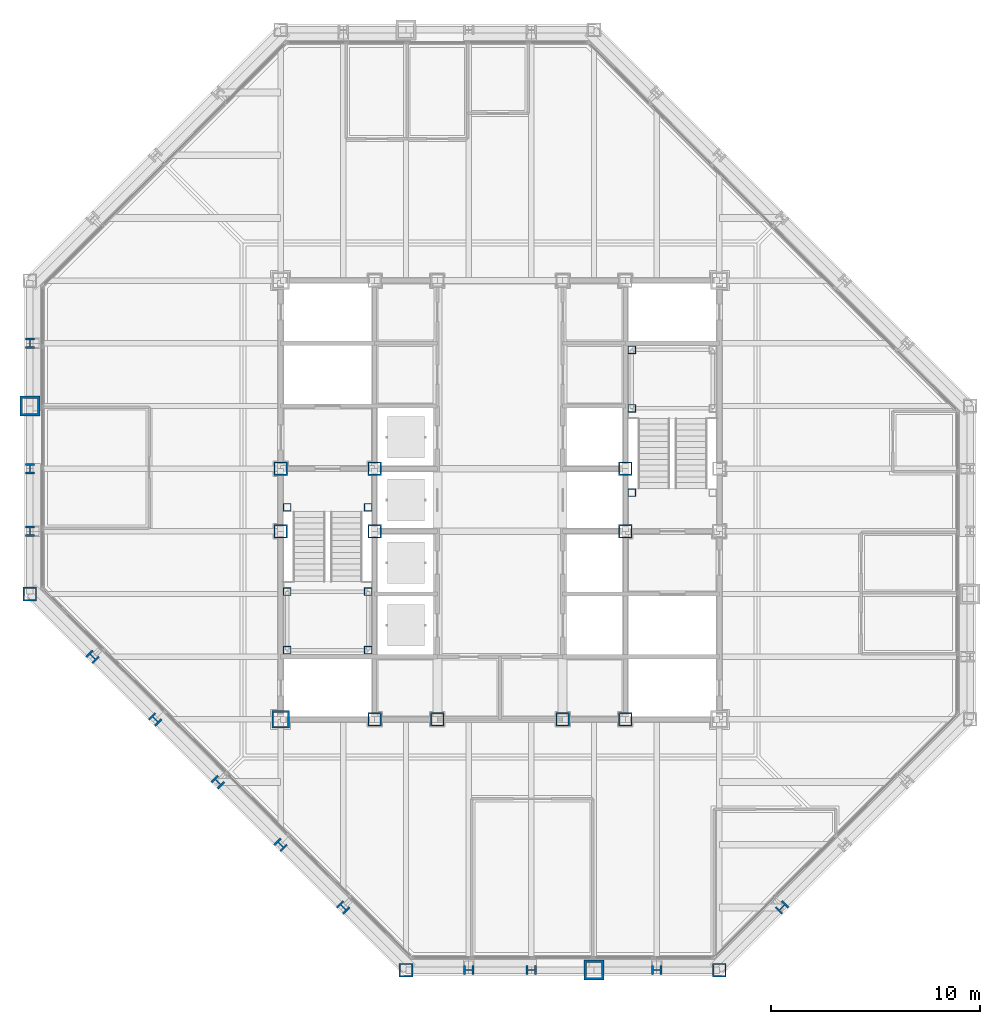
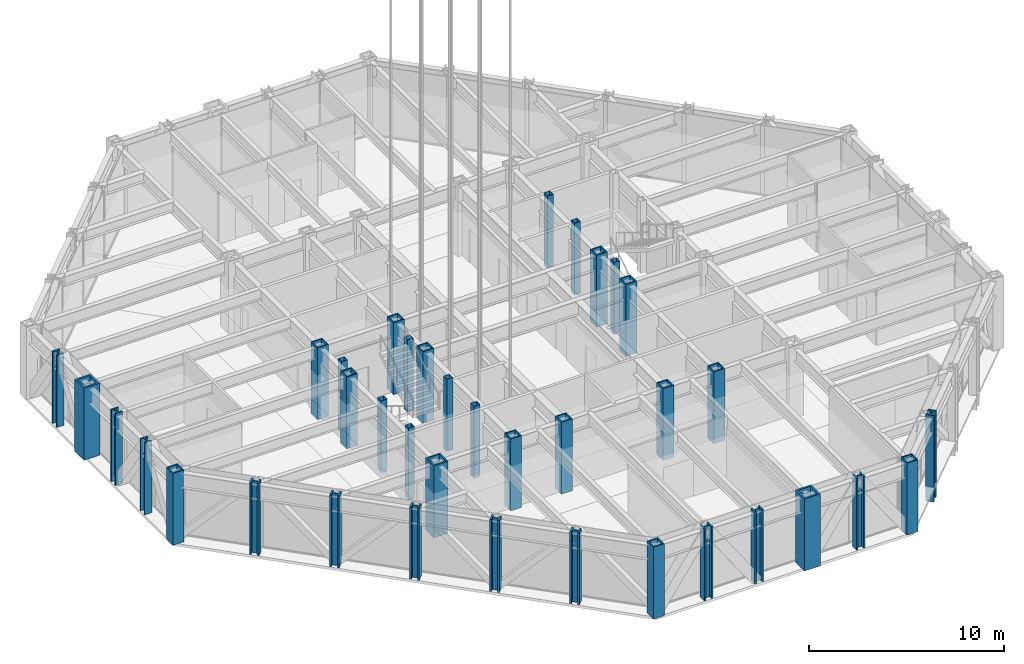
# One storey, part 1 of 24: 37 columns.
"""IFC4 building model written with IfcOpenShell, lengths in metres."""

from ifc_helpers import new_model, si_unit, direction, frame, origin, origin_2d, place, context, subcontext, project, spatial, hollow_rectangle, i_section, extrude, material, material_profile, profile_set, type_object, element, save


model = new_model("IFC4")

# Units and contexts
model_context = context("Model", 3, precision=1e-05, world=origin(), true_north=direction((0.0, 1.0)))
body_context = subcontext(model_context, "Body", "Model", "MODEL_VIEW")
ifc_project = project(units=[si_unit("LENGTHUNIT", "METRE"), si_unit("AREAUNIT", "SQUARE_METRE"), si_unit("VOLUMEUNIT", "CUBIC_METRE"), si_unit("PLANEANGLEUNIT", "RADIAN"), si_unit("MASSUNIT", "GRAM", prefix="KILO")], contexts=[model_context])

# Site, building, storey
site_placement = place(None, origin())
site = spatial("IfcSite", under=ifc_project, at=site_placement, CompositionType="ELEMENT")
building_placement = place(site_placement, origin())
building = spatial("IfcBuilding", under=site, at=building_placement, Name="Chuquiago Exchange Tower", CompositionType="ELEMENT")
storey_placement = place(building_placement, frame((0.0, 0.0, 180.0)))
storey = spatial("IfcBuildingStorey", under=building, at=storey_placement, Name="L39", CompositionType="ELEMENT", Elevation=180.0)

# Columns
ifc_material_1 = material(Name="Steel ASTM A992", Category="steel")
ifc_material_profile_1 = material_profile(ifc_material_1, i_section(OverallWidth=0.431884765625, OverallDepth=0.497802734375, WebThickness=0.0556640625, FlangeThickness=0.0888671875, at=origin_2d()), Name="W14X500")
ifc_profile_set_1 = profile_set([ifc_material_profile_1], Name="Steel ASTM A992")
column_type_1 = type_object("IfcColumnType", Name="C4 W14X500", PredefinedType="COLUMN", material=ifc_profile_set_1)
for number, where, z_axis, x_axis, name in (
    (1, (21.0, 0.0, 0.0), (0.0, 0.0, 1.0), (0.0, -1.0, 0.0), "COL-L39-21_0"),
    (2, (24.0, 0.0, 0.0), (0.0, 0.0, 1.0), (0.0, -1.0, 0.0), "COL-L39-24_0"),
    (3, (30.0, 0.0, 0.0), (0.0, 0.0, 1.0), (0.0, -1.0, 0.0), "COL-L39-30_0"),
    (4, (0.0, 30.0, 0.0), (0.0, 0.0, 1.0), (-1.0, 0.0, 0.0), "COL-L39-0_30"),
    (5, (0.0, 24.0, 0.0), (0.0, 0.0, 1.0), (-1.0, 0.0, 0.0), "COL-L39-0_24"),
    (6, (0.0, 21.0, 0.0), (0.0, 0.0, 1.0), (-1.0, 0.0, 0.0), "COL-L39-0_21"),
):
    element("IfcColumn", number, at=place(storey_placement, frame(where, z_axis=z_axis, x_axis=x_axis)), inside=storey, type_object=column_type_1, Name=name, PredefinedType="COLUMN", context=body_context, shape_type="SweptSolid", body=[
        extrude(i_section(OverallWidth=0.431884765625, OverallDepth=0.497802734375, WebThickness=0.0556640625, FlangeThickness=0.0888671875, at=origin_2d()), origin(), (0.0, 0.0, 1.0), 4.5),
    ])
ifc_material_2 = material(Name="Steel ASTM A572 Grade 50", Category="steel")
ifc_material_profile_2 = material_profile(ifc_material_2, hollow_rectangle(XDim=0.64990234375, YDim=0.64990234375, WallThickness=0.06494140625, at=origin_2d()), Name="BOX650X650X65")
ifc_profile_set_2 = profile_set([ifc_material_profile_2], Name="Steel ASTM A572 Grade 50")
column_type_2 = type_object("IfcColumnType", Name="CC4 BOX650X650X65", PredefinedType="COLUMN", material=ifc_profile_set_2)
for number, where, z_axis, x_axis, name in (
    (7, (16.5, 12.0, 0.0), (0.0, 0.0, 1.0), (1.0, 0.0, 0.0), "CCOL-L39-16.5_12"),
    (8, (19.5, 12.0, 0.0), (0.0, 0.0, 1.0), (1.0, 0.0, 0.0), "CCOL-L39-19.5_12"),
    (9, (25.5, 12.0, 0.0), (0.0, 0.0, 1.0), (1.0, 0.0, 0.0), "CCOL-L39-25.5_12"),
    (10, (28.5, 12.0, 0.0), (0.0, 0.0, 1.0), (1.0, 0.0, 0.0), "CCOL-L39-28.5_12"),
    (11, (12.0, 21.0, 0.0), (0.0, 0.0, 1.0), (1.0, 0.0, 0.0), "CCOL-L39-12_21"),
    (12, (12.0, 24.0, 0.0), (0.0, 0.0, 1.0), (1.0, 0.0, 0.0), "CCOL-L39-12_24"),
    (13, (16.5, 21.0, 0.0), (0.0, 0.0, 1.0), (1.0, 0.0, 0.0), "CCOL-L39-16.5_21"),
    (14, (16.5, 24.0, 0.0), (0.0, 0.0, 1.0), (1.0, 0.0, 0.0), "CCOL-L39-16.5_24"),
    (15, (28.5, 21.0, 0.0), (0.0, 0.0, 1.0), (1.0, 0.0, 0.0), "CCOL-L39-28.5_21"),
    (16, (28.5, 24.0, 0.0), (0.0, 0.0, 1.0), (1.0, 0.0, 0.0), "CCOL-L39-28.5_24"),
):
    element("IfcColumn", number, at=place(storey_placement, frame(where, z_axis=z_axis, x_axis=x_axis)), inside=storey, type_object=column_type_2, Name=name, PredefinedType="COLUMN", context=body_context, shape_type="SweptSolid", body=[
        extrude(hollow_rectangle(XDim=0.64990234375, YDim=0.64990234375, WallThickness=0.06494140625, at=origin_2d()), origin(), (0.0, 0.0, 1.0), 4.5),
    ])
ifc_material_3 = material(Name="Steel ASTM A572 Grade 50", Category="steel")
ifc_material_profile_3 = material_profile(ifc_material_3, hollow_rectangle(XDim=0.85009765625, YDim=0.85009765625, WallThickness=0.0849609375, at=origin_2d()), Name="BOX850X850X85")
ifc_profile_set_3 = profile_set([ifc_material_profile_3], Name="Steel ASTM A572 Grade 50")
column_type_3 = type_object("IfcColumnType", Name="CC6 BOX850X850X85", PredefinedType="COLUMN", material=ifc_profile_set_3)
column_1_placement = place(storey_placement, frame((12.0, 12.0, 0.0), z_axis=(0.0, 0.0, 1.0), x_axis=(1.0, 0.0, 0.0)))
element("IfcColumn", 17, at=column_1_placement, inside=storey, type_object=column_type_3, Name="CCOL-L39-12_12", PredefinedType="COLUMN", context=body_context, shape_type="SweptSolid", body=[
    extrude(hollow_rectangle(XDim=0.85009765625, YDim=0.85009765625, WallThickness=0.0849609375, at=origin_2d()), origin(), (0.0, 0.0, 1.0), 4.5),
])
ifc_material_4 = material(Name="Steel ASTM A992", Category="steel")
ifc_material_profile_4 = material_profile(ifc_material_4, i_section(OverallWidth=0.436767578125, OverallDepth=0.51318359375, WebThickness=0.060546875, FlangeThickness=0.096923828125, at=origin_2d()), Name="W14X550")
ifc_profile_set_4 = profile_set([ifc_material_profile_4], Name="Steel ASTM A992")
column_type_4 = type_object("IfcColumnType", Name="CK4 W14X550", PredefinedType="COLUMN", material=ifc_profile_set_4)
column_2_placement = place(storey_placement, frame((36.0, 3.0, -0.909912109375), z_axis=(0.0, 0.0, 1.0), x_axis=(0.707106781187, -0.707106781187, 0.0)))
element("IfcColumn", 18, at=column_2_placement, inside=storey, type_object=column_type_4, Name="COL-L39-36_3", PredefinedType="COLUMN", context=body_context, shape_type="SweptSolid", body=[
    extrude(i_section(OverallWidth=0.436767578125, OverallDepth=0.51318359375, WebThickness=0.060546875, FlangeThickness=0.096923828125, at=origin_2d()), origin(), (0.0, 0.0, 1.0), 5.409912109375),
])
for number, where, z_axis, x_axis, name in (
    (19, (3.0, 15.0, 0.0), (0.0, 0.0, 1.0), (-0.707106781187, -0.707106781187, 0.0), "COL-L39-3_15"),
    (20, (6.0, 12.0, 0.0), (0.0, 0.0, 1.0), (-0.707106781187, -0.707106781187, 0.0), "COL-L39-6_12"),
    (21, (9.0, 9.0, 0.0), (0.0, 0.0, 1.0), (-0.707106781187, -0.707106781187, 0.0), "COL-L39-9_9"),
    (22, (12.0, 6.0, 0.0), (0.0, 0.0, 1.0), (-0.707106781187, -0.707106781187, 0.0), "COL-L39-12_6"),
    (23, (15.0, 3.0, 0.0), (0.0, 0.0, 1.0), (-0.707106781187, -0.707106781187, 0.0), "COL-L39-15_3"),
):
    element("IfcColumn", number, at=place(storey_placement, frame(where, z_axis=z_axis, x_axis=x_axis)), inside=storey, type_object=column_type_4, Name=name, PredefinedType="COLUMN", context=body_context, shape_type="SweptSolid", body=[
        extrude(i_section(OverallWidth=0.436767578125, OverallDepth=0.51318359375, WebThickness=0.060546875, FlangeThickness=0.096923828125, at=origin_2d()), origin(), (0.0, 0.0, 1.0), 4.5),
    ])
ifc_material_5 = material(Name="Steel ASTM A572 Grade 50", Category="steel")
ifc_material_profile_5 = material_profile(ifc_material_5, hollow_rectangle(XDim=0.64990234375, YDim=0.64990234375, WallThickness=0.06494140625, at=origin_2d()), Name="BOX650X650X65")
ifc_profile_set_5 = profile_set([ifc_material_profile_5], Name="Steel ASTM A572 Grade 50")
column_type_5 = type_object("IfcColumnType", Name="CN2 BOX650X650X65", PredefinedType="COLUMN", material=ifc_profile_set_5)
for number, where, z_axis, x_axis, name in (
    (24, (18.0, 0.0, 0.0), (0.0, 0.0, 1.0), (0.0, -1.0, 0.0), "COL-L39-18_0"),
    (25, (33.0, 0.0, 0.0), (0.0, 0.0, 1.0), (0.0, -1.0, 0.0), "COL-L39-33_0"),
    (26, (0.0, 18.0, 0.0), (0.0, 0.0, 1.0), (-1.0, 0.0, 0.0), "COL-L39-0_18"),
):
    element("IfcColumn", number, at=place(storey_placement, frame(where, z_axis=z_axis, x_axis=x_axis)), inside=storey, type_object=column_type_5, Name=name, PredefinedType="COLUMN", context=body_context, shape_type="SweptSolid", body=[
        extrude(hollow_rectangle(XDim=0.64990234375, YDim=0.64990234375, WallThickness=0.06494140625, at=origin_2d()), origin(), (0.0, 0.0, 1.0), 4.5),
    ])
ifc_material_6 = material(Name="Steel ASTM A572 Grade 42", Category="steel")
ifc_material_profile_6 = material_profile(ifc_material_6, hollow_rectangle(XDim=0.949951171875, YDim=0.949951171875, WallThickness=0.110107421875, at=origin_2d()), Name="BOX950X950X110")
ifc_profile_set_6 = profile_set([ifc_material_profile_6], Name="Steel ASTM A572 Grade 42")
column_type_6 = type_object("IfcColumnType", Name="CT1 BOX950X950X110", PredefinedType="COLUMN", material=ifc_profile_set_6)
for number, where, z_axis, x_axis, name in (
    (27, (27.0, 0.0, 0.0), (0.0, 0.0, 1.0), (0.0, -1.0, 0.0), "COL-L39-27_0"),
    (28, (0.0, 27.0, 0.0), (0.0, 0.0, 1.0), (-1.0, 0.0, 0.0), "COL-L39-0_27"),
):
    element("IfcColumn", number, at=place(storey_placement, frame(where, z_axis=z_axis, x_axis=x_axis)), inside=storey, type_object=column_type_6, Name=name, PredefinedType="COLUMN", context=body_context, shape_type="SweptSolid", body=[
        extrude(hollow_rectangle(XDim=0.949951171875, YDim=0.949951171875, WallThickness=0.110107421875, at=origin_2d()), origin(), (0.0, 0.0, 1.0), 4.5),
    ])
ifc_material_7 = material(Name="Steel ASTM A500 Grade C", Category="steel")
ifc_material_profile_7 = material_profile(ifc_material_7, hollow_rectangle(XDim=0.355712890625, YDim=0.355712890625, WallThickness=0.0146484375, at=origin_2d()), Name="HSS14X14X5/8")
ifc_profile_set_7 = profile_set([ifc_material_profile_7], Name="Steel ASTM A500 Grade C")
column_type_7 = type_object("IfcColumnType", Name="PT2 HSS14X14X5/8", PredefinedType="COLUMN", material=ifc_profile_set_7)
for number, where, z_axis, x_axis, name in (
    (29, (12.31005859375, 15.31005859375, 0.0), (0.0, 0.0, 1.0), (1.0, 0.0, 0.0), "Stair ST1 L39 landing post"),
    (30, (16.18994140625, 15.31005859375, 0.0), (0.0, 0.0, 1.0), (1.0, 0.0, 0.0), "Stair ST1 L39 landing post"),
    (31, (12.31005859375, 18.110107421875, 0.0), (0.0, 0.0, 1.0), (1.0, 0.0, 0.0), "Stair ST1 L39 landing post"),
    (32, (16.18994140625, 18.110107421875, 0.0), (0.0, 0.0, 1.0), (1.0, 0.0, 0.0), "Stair ST1 L39 landing post"),
    (33, (12.31005859375, 22.14990234375, 0.0), (0.0, 0.0, 1.0), (1.0, 0.0, 0.0), "Stair ST1 L39 landing post"),
    (34, (16.18994140625, 22.14990234375, 0.0), (0.0, 0.0, 1.0), (1.0, 0.0, 0.0), "Stair ST1 L39 landing post"),
    (35, (28.81005859375, 29.68994140625, 0.0), (0.0, 0.0, 1.0), (1.0, 0.0, 0.0), "Stair ST2 L39 landing post"),
    (36, (28.81005859375, 26.889892578125, 0.0), (0.0, 0.0, 1.0), (1.0, 0.0, 0.0), "Stair ST2 L39 landing post"),
    (37, (28.81005859375, 22.85009765625, 0.0), (0.0, 0.0, 1.0), (1.0, 0.0, 0.0), "Stair ST2 L39 landing post"),
):
    element("IfcColumn", number, at=place(storey_placement, frame(where, z_axis=z_axis, x_axis=x_axis)), inside=storey, type_object=column_type_7, Name=name, PredefinedType="COLUMN", context=body_context, shape_type="SweptSolid", body=[
        extrude(hollow_rectangle(XDim=0.355712890625, YDim=0.355712890625, WallThickness=0.0146484375, at=origin_2d()), origin(), (0.0, 0.0, 1.0), 4.5),
    ])

save(model, "model.ifc")
